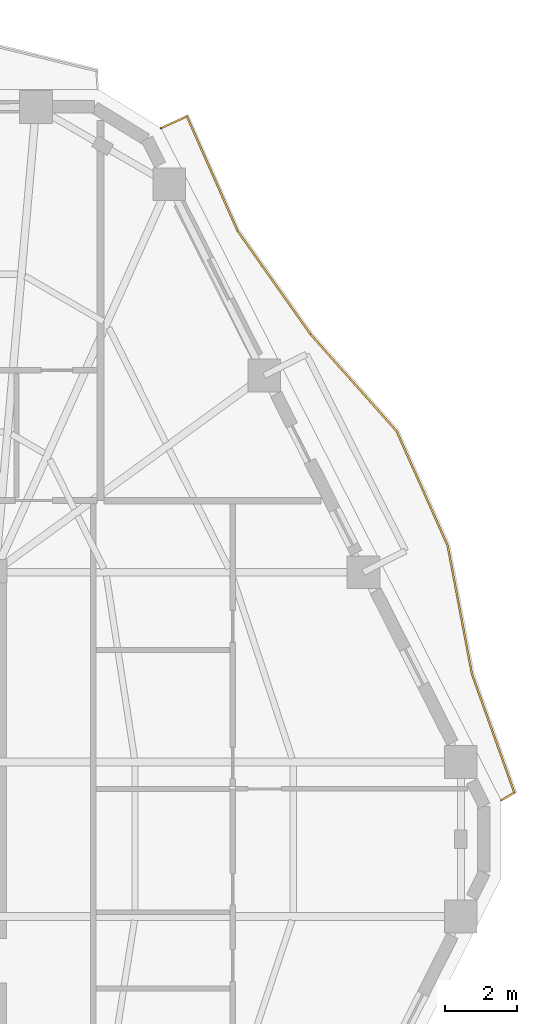
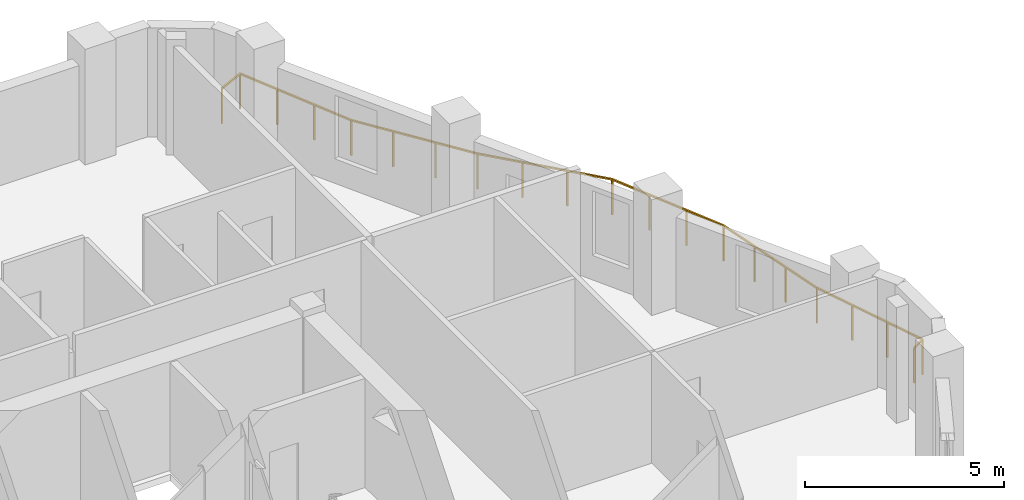
# One storey, part 11 of 11: 1 railing.
"""IFC4 building model written with IfcOpenShell, lengths in metres."""

from ifc_helpers import new_model, si_unit, direction, frame, origin, origin_2d, place, context, subcontext, project, spatial, rectangle, extrude, material, type_object, element, save


model = new_model("IFC4")

# Units and contexts
model_context = context("Model", 3, precision=1e-05, world=origin(), true_north=direction((0.0, 1.0)))
body_context = subcontext(model_context, "Body", "Model", "MODEL_VIEW")
ifc_project = project(units=[si_unit("LENGTHUNIT", "METRE"), si_unit("AREAUNIT", "SQUARE_METRE"), si_unit("VOLUMEUNIT", "CUBIC_METRE"), si_unit("PLANEANGLEUNIT", "RADIAN"), si_unit("MASSUNIT", "GRAM", prefix="KILO")], contexts=[model_context])

# Site, building, storey
site_placement = place(None, origin())
site = spatial("IfcSite", under=ifc_project, at=site_placement, CompositionType="ELEMENT")
building_placement = place(site_placement, origin())
building = spatial("IfcBuilding", under=site, at=building_placement, Name="Cinnabar Lancet Tower", CompositionType="ELEMENT")
storey_placement = place(building_placement, frame((0.0, 0.0, 175.449951171875)))
storey = spatial("IfcBuildingStorey", under=building, at=storey_placement, Name="L46", CompositionType="ELEMENT", Elevation=175.449951171875)

# Railing
ifc_material = material(Name="Laminated safety glass and bronze stainless steel balustrade", Category="steel")
railing_type = type_object("IfcRailingType", Name="ENV-RLG-BAL-1100", PredefinedType="BALUSTRADE", material=ifc_material)
railing_placement = place(storey_placement, frame((55.657958984375, 26.87109375, 0.0)))
element("IfcRailing", 1, at=railing_placement, inside=storey, type_object=railing_type, Name="L46 Face 3 Wave Balcony Balustrade", PredefinedType="BALUSTRADE", context=body_context, shape_type="SweptSolid", body=[
    extrude(rectangle(XDim=0.048095703125, YDim=0.048095703125, at=origin_2d()), frame((0.0, 0.0, 1.076171875), z_axis=(0.86119088393, 0.508281675291, 0.0), x_axis=(-0.508281675291, 0.86119088393, 0.0)), (0.0, 0.0, 1.0), 0.422607421875),
    extrude(rectangle(XDim=0.048095703125, YDim=0.048095703125, at=origin_2d()), frame((0.364013671875, 0.21484375, 1.076171875), z_axis=(-0.336269826905, 0.941765683975, 0.0), x_axis=(-0.941765683975, -0.336269826905, 0.0)), (0.0, 0.0, 1.0), 3.48486328125),
    extrude(rectangle(XDim=0.048095703125, YDim=0.048095703125, at=origin_2d()), frame((-0.807861328125, 3.496826171875, 1.076171875), z_axis=(-0.185730535979, 0.982600716469, 0.0), x_axis=(-0.982600716469, -0.185730535979, 0.0)), (0.0, 0.0, 1.0), 3.59765625),
    extrude(rectangle(XDim=0.048095703125, YDim=0.048095703125, at=origin_2d()), frame((-1.47607421875, 7.031982421875, 1.076171875), z_axis=(-0.407336578585, 0.913278113034, 0.0), x_axis=(-0.913278113034, -0.407336578585, 0.0)), (0.0, 0.0, 1.0), 3.458984375),
    extrude(rectangle(XDim=0.048095703125, YDim=0.048095703125, at=origin_2d()), frame((-2.885009765625, 10.19091796875, 1.076171875), z_axis=(-0.66405846916, 0.747680646758, 0.0), x_axis=(-0.747680646758, -0.66405846916, 0.0)), (0.0, 0.0, 1.0), 3.573486328125),
    extrude(rectangle(XDim=0.048095703125, YDim=0.048095703125, at=origin_2d()), frame((-5.258056640625, 12.86279296875, 1.076171875), z_axis=(-0.576740812968, 0.816927190548, 0.0), x_axis=(-0.816927190548, -0.576740812968, 0.0)), (0.0, 0.0, 1.0), 3.49365234375),
    extrude(rectangle(XDim=0.048095703125, YDim=0.048095703125, at=origin_2d()), frame((-7.27294921875, 15.716796875, 1.076171875), z_axis=(-0.404692013671, 0.9144530464, 0.0), x_axis=(-0.9144530464, -0.404692013671, 0.0)), (0.0, 0.0, 1.0), 3.462158203125),
    extrude(rectangle(XDim=0.048095703125, YDim=0.048095703125, at=origin_2d()), frame((-8.674072265625, 18.8828125, 1.076171875), z_axis=(-0.910142488395, -0.414295366639, 0.0), x_axis=(0.414295366639, -0.910142488395, 0.0)), (0.0, 0.0, 1.0), 0.784423828125),
    extrude(rectangle(XDim=0.0419921875, YDim=0.0419921875, at=origin_2d()), origin(), (0.0, 0.0, 1.0), 1.052001953125),
    extrude(rectangle(XDim=0.0419921875, YDim=0.0419921875, at=origin_2d()), frame((0.364013671875, 0.21484375, 0.0)), (0.0, 0.0, 1.0), 1.052001953125),
    extrude(rectangle(XDim=0.0419921875, YDim=0.0419921875, at=origin_2d()), frame((-0.026611328125, 1.308837890625, 0.0)), (0.0, 0.0, 1.0), 1.052001953125),
    extrude(rectangle(XDim=0.0419921875, YDim=0.0419921875, at=origin_2d()), frame((-0.417236328125, 2.40283203125, 0.0)), (0.0, 0.0, 1.0), 1.052001953125),
    extrude(rectangle(XDim=0.0419921875, YDim=0.0419921875, at=origin_2d()), frame((-0.807861328125, 3.496826171875, 0.0)), (0.0, 0.0, 1.0), 1.052001953125),
    extrude(rectangle(XDim=0.0419921875, YDim=0.0419921875, at=origin_2d()), frame((-1.030517578125, 4.67529296875, 0.0)), (0.0, 0.0, 1.0), 1.052001953125),
    extrude(rectangle(XDim=0.0419921875, YDim=0.0419921875, at=origin_2d()), frame((-1.25341796875, 5.853515625, 0.0)), (0.0, 0.0, 1.0), 1.052001953125),
    extrude(rectangle(XDim=0.0419921875, YDim=0.0419921875, at=origin_2d()), frame((-1.47607421875, 7.031982421875, 0.0)), (0.0, 0.0, 1.0), 1.052001953125),
    extrude(rectangle(XDim=0.0419921875, YDim=0.0419921875, at=origin_2d()), frame((-1.94580078125, 8.0849609375, 0.0)), (0.0, 0.0, 1.0), 1.052001953125),
    extrude(rectangle(XDim=0.0419921875, YDim=0.0419921875, at=origin_2d()), frame((-2.415283203125, 9.137939453125, 0.0)), (0.0, 0.0, 1.0), 1.052001953125),
    extrude(rectangle(XDim=0.0419921875, YDim=0.0419921875, at=origin_2d()), frame((-2.885009765625, 10.19091796875, 0.0)), (0.0, 0.0, 1.0), 1.052001953125),
    extrude(rectangle(XDim=0.0419921875, YDim=0.0419921875, at=origin_2d()), frame((-3.676025390625, 11.08154296875, 0.0)), (0.0, 0.0, 1.0), 1.052001953125),
    extrude(rectangle(XDim=0.0419921875, YDim=0.0419921875, at=origin_2d()), frame((-4.467041015625, 11.97216796875, 0.0)), (0.0, 0.0, 1.0), 1.052001953125),
    extrude(rectangle(XDim=0.0419921875, YDim=0.0419921875, at=origin_2d()), frame((-5.258056640625, 12.86279296875, 0.0)), (0.0, 0.0, 1.0), 1.052001953125),
    extrude(rectangle(XDim=0.0419921875, YDim=0.0419921875, at=origin_2d()), frame((-5.9296875, 13.814208984375, 0.0)), (0.0, 0.0, 1.0), 1.052001953125),
    extrude(rectangle(XDim=0.0419921875, YDim=0.0419921875, at=origin_2d()), frame((-6.601318359375, 14.765380859375, 0.0)), (0.0, 0.0, 1.0), 1.052001953125),
    extrude(rectangle(XDim=0.0419921875, YDim=0.0419921875, at=origin_2d()), frame((-7.27294921875, 15.716796875, 0.0)), (0.0, 0.0, 1.0), 1.052001953125),
    extrude(rectangle(XDim=0.0419921875, YDim=0.0419921875, at=origin_2d()), frame((-7.739990234375, 16.772216796875, 0.0)), (0.0, 0.0, 1.0), 1.052001953125),
    extrude(rectangle(XDim=0.0419921875, YDim=0.0419921875, at=origin_2d()), frame((-8.20703125, 17.827392578125, 0.0)), (0.0, 0.0, 1.0), 1.052001953125),
    extrude(rectangle(XDim=0.0419921875, YDim=0.0419921875, at=origin_2d()), frame((-8.674072265625, 18.8828125, 0.0)), (0.0, 0.0, 1.0), 1.052001953125),
    extrude(rectangle(XDim=0.0419921875, YDim=0.0419921875, at=origin_2d()), frame((-9.387939453125, 18.557861328125, 0.0)), (0.0, 0.0, 1.0), 1.052001953125),
])

save(model, "model.ifc")
